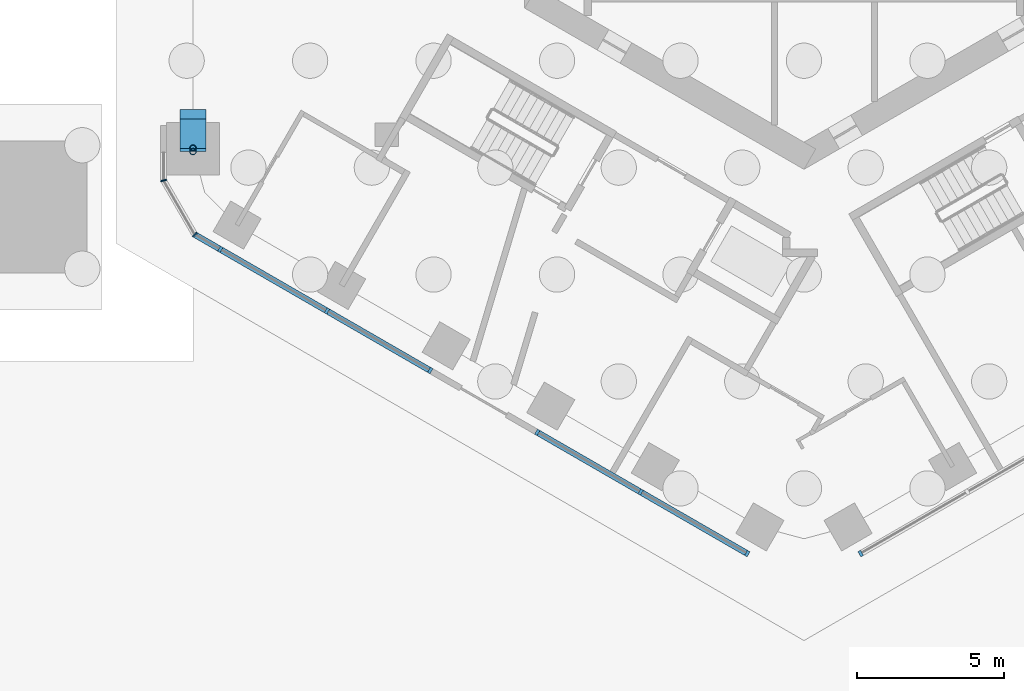
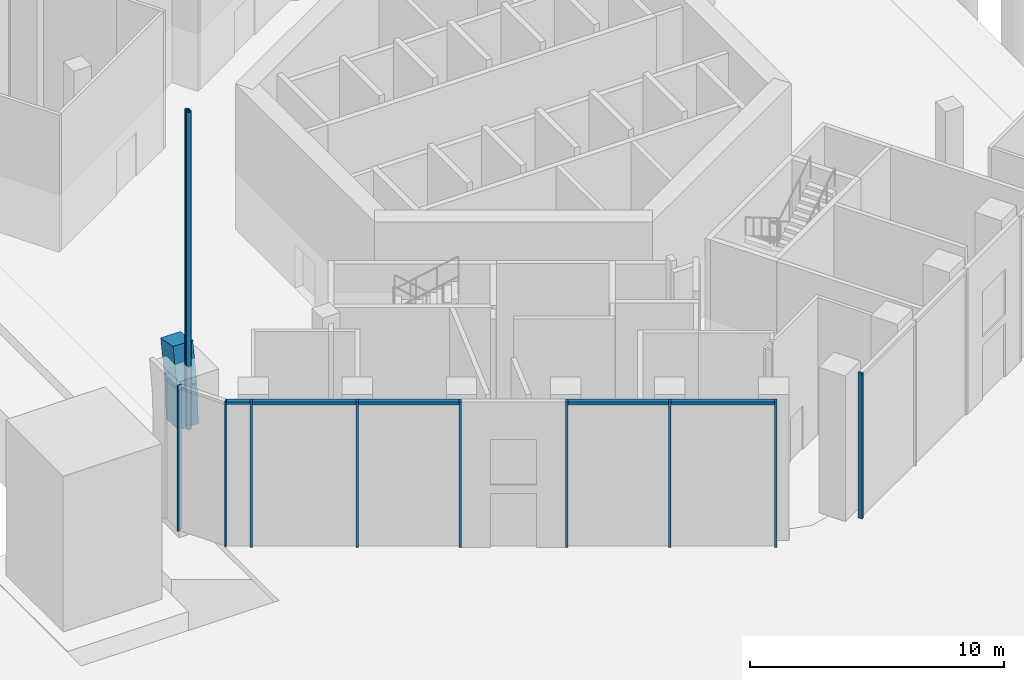
# One storey, part 2 of 18: 14 members, 2 beams, 4 elements without a shape of their own.
"""IFC4 building model written with IfcOpenShell, lengths in metres."""

from ifc_helpers import new_model, si_unit, direction, frame, origin, origin_2d, place, context, subcontext, project, spatial, rectangle, hollow_circle, extrude, material, layer, layer_set, material_profile, profile_set, type_object, element, aggregate, save


model = new_model("IFC4")

# Units and contexts
model_context = context("Model", 3, precision=1e-05, world=origin(), true_north=direction((0.0, 1.0)))
body_context = subcontext(model_context, "Body", "Model", "MODEL_VIEW")
ifc_project = project(units=[si_unit("LENGTHUNIT", "METRE"), si_unit("AREAUNIT", "SQUARE_METRE"), si_unit("VOLUMEUNIT", "CUBIC_METRE"), si_unit("PLANEANGLEUNIT", "RADIAN"), si_unit("MASSUNIT", "GRAM", prefix="KILO")], contexts=[model_context])

# Site, building, storey
site_placement = place(None, origin())
site = spatial("IfcSite", under=ifc_project, at=site_placement, CompositionType="ELEMENT")
building_placement = place(site_placement, origin())
building = spatial("IfcBuilding", under=site, at=building_placement, Name="Ayvan Gate Tower", CompositionType="ELEMENT")
storey_placement = place(building_placement, origin())
storey = spatial("IfcBuildingStorey", under=building, at=storey_placement, Name="L00", CompositionType="ELEMENT", Elevation=0.0)

# Beams
ifc_material_1 = material(Name="Concrete C60/75", Category="concrete")
ifc_material_profile_1 = material_profile(ifc_material_1, rectangle(XDim=0.89990234375, YDim=1.0, at=origin_2d()), Name="RC 900x1000")
ifc_profile_set_1 = profile_set([ifc_material_profile_1], Name="Concrete C60/75")
beam_type = type_object("IfcBeamType", Name="Arch rib RC 900x1000 C60/75", PredefinedType="BEAM", material=ifc_profile_set_1)
for number, where, z_axis, x_axis, name in (
    (1, (-20.78466796875, -9.425048828125, 7.6962890625), (0.0, -0.177929066797, -0.984043315708), (1.0, 0.0, 0.0), "AR-3-19"),
    (2, (-20.78466796875, -9.7568359375, 5.861328125), (0.0, -0.059573960117, -0.998223894362), (1.0, 0.0, 0.0), "AR-3-20"),
):
    element("IfcBeam", number, at=place(storey_placement, frame(where, z_axis=z_axis, x_axis=x_axis)), inside=storey, type_object=beam_type, Name=name, PredefinedType="BEAM", context=body_context, shape_type="SweptSolid", body=[
        extrude(rectangle(XDim=0.89990234375, YDim=1.0, at=origin_2d()), origin(), (0.0, 0.0, 1.0), 1.86474609375),
    ])

# Members
ifc_material_2 = material(Name="Steel S460NH", Category="steel")
ifc_material_profile_2 = material_profile(ifc_material_2, hollow_circle(Radius=0.109619140625, WallThickness=0.012451171875, at=origin_2d()), Name="CHS 219.1x12.5")
ifc_profile_set_2 = profile_set([ifc_material_profile_2], Name="Steel S460NH")
member_type_1 = type_object("IfcMemberType", Name="Arch rib hanger CHS 219.1x12.5", PredefinedType="STRUT", material=ifc_profile_set_2)
member_1_placement = place(storey_placement, frame((-20.78466796875, -10.248779296875, 5.7724609375), z_axis=(0.0, 0.0, 1.0), x_axis=(1.0, 0.0, 0.0)))
element("IfcMember", 3, at=member_1_placement, inside=storey, type_object=member_type_1, Name="ARH-3-19", PredefinedType="STRUT", context=body_context, shape_type="SweptSolid", body=[
    extrude(hollow_circle(Radius=0.109619140625, WallThickness=0.012451171875, at=origin_2d()), origin(), (0.0, 0.0, 1.0), 13.4775390625),
])
member_2_placement = place(storey_placement, frame((-20.78466796875, -10.366943359375, 3.97021484375), z_axis=(0.0, 0.0, 1.0), x_axis=(1.0, 0.0, 0.0)))
element("IfcMember", 4, at=member_2_placement, inside=storey, type_object=member_type_1, Name="ARH-3-20", PredefinedType="STRUT", context=body_context, shape_type="SweptSolid", body=[
    extrude(hollow_circle(Radius=0.109619140625, WallThickness=0.012451171875, at=origin_2d()), origin(), (0.0, 0.0, 1.0), 15.27978515625),
])

# Curtain wall, members
ifc_material_3 = material(Name="Bronze anodised aluminium", Category="aluminium")
ifc_layer_1 = layer(ifc_material_3, 0.199951171875)
ifc_layer_set_1 = layer_set([ifc_layer_1], Name="Bronze anodised aluminium")
curtain_wall_type_1 = type_object("IfcCurtainWallType", Name="Stick curtain wall CW-3", PredefinedType="NOTDEFINED", material=ifc_layer_set_1)
curtain_wall_1_placement = place(storey_placement, origin())
curtain_wall_1 = element("IfcCurtainWall", 5, at=curtain_wall_1_placement, inside=storey, type_object=curtain_wall_type_1, Name="Stick curtain wall CW-3 L00", PredefinedType="NOTDEFINED")
ifc_material_profile_3 = material_profile(ifc_material_3, rectangle(XDim=0.199951171875, YDim=0.10009765625, at=origin_2d()), Name="Stick curtain wall CW-3 mullion 200 x 100")
ifc_profile_set_3 = profile_set([ifc_material_profile_3], Name="Bronze anodised aluminium")
member_type_2 = type_object("IfcMemberType", Name="Stick curtain wall CW-3 mullion 200 x 100", PredefinedType="MULLION", material=ifc_profile_set_3)
member_3_placement = place(storey_placement, frame((-19.855224609375, -13.691162109375, 0.0), z_axis=(0.0, 0.0, 1.0), x_axis=(-0.5, -0.866025403784, 0.0)))
member_3 = element("IfcMember", 6, at=member_3_placement, type_object=member_type_2, Name="CW-3 mullion 1", PredefinedType="MULLION", context=body_context, shape_type="SweptSolid", body=[
    extrude(rectangle(XDim=0.199951171875, YDim=0.10009765625, at=origin_2d()), origin(), (0.0, 0.0, 1.0), 7.0),
])
member_4_placement = place(storey_placement, frame((-16.2275390625, -15.78564453125, 0.0), z_axis=(0.0, 0.0, 1.0), x_axis=(-0.5, -0.866025403784, 0.0)))
member_4 = element("IfcMember", 7, at=member_4_placement, type_object=member_type_2, Name="CW-3 mullion 2", PredefinedType="MULLION", context=body_context, shape_type="SweptSolid", body=[
    extrude(rectangle(XDim=0.199951171875, YDim=0.10009765625, at=origin_2d()), origin(), (0.0, 0.0, 1.0), 7.0),
])
member_5_placement = place(storey_placement, frame((-12.714111328125, -17.814208984375, 0.0), z_axis=(0.0, 0.0, 1.0), x_axis=(-0.5, -0.866025403784, 0.0)))
member_5 = element("IfcMember", 8, at=member_5_placement, type_object=member_type_2, Name="CW-3 mullion 3", PredefinedType="MULLION", context=body_context, shape_type="SweptSolid", body=[
    extrude(rectangle(XDim=0.199951171875, YDim=0.10009765625, at=origin_2d()), origin(), (0.0, 0.0, 1.0), 7.0),
])

curtain_wall_2_placement = place(storey_placement, origin())
curtain_wall_2 = element("IfcCurtainWall", 9, at=curtain_wall_2_placement, inside=storey, type_object=curtain_wall_type_1, Name="Stick curtain wall CW-3 L00", PredefinedType="NOTDEFINED")
member_6_placement = place(storey_placement, frame((-9.07080078125, -19.917724609375, 0.0), z_axis=(0.0, 0.0, 1.0), x_axis=(-0.5, -0.866025403784, 0.0)))
member_6 = element("IfcMember", 10, at=member_6_placement, type_object=member_type_2, Name="CW-3 mullion 1", PredefinedType="MULLION", context=body_context, shape_type="SweptSolid", body=[
    extrude(rectangle(XDim=0.199951171875, YDim=0.10009765625, at=origin_2d()), origin(), (0.0, 0.0, 1.0), 7.0),
])
member_7_placement = place(storey_placement, frame((-5.55712890625, -21.9462890625, 0.0), z_axis=(0.0, 0.0, 1.0), x_axis=(-0.5, -0.866025403784, 0.0)))
member_7 = element("IfcMember", 11, at=member_7_placement, type_object=member_type_2, Name="CW-3 mullion 2", PredefinedType="MULLION", context=body_context, shape_type="SweptSolid", body=[
    extrude(rectangle(XDim=0.199951171875, YDim=0.10009765625, at=origin_2d()), origin(), (0.0, 0.0, 1.0), 7.0),
])
member_8_placement = place(storey_placement, frame((-1.92919921875, -24.040771484375, 0.0), z_axis=(0.0, 0.0, 1.0), x_axis=(-0.5, -0.866025403784, 0.0)))
member_8 = element("IfcMember", 12, at=member_8_placement, type_object=member_type_2, Name="CW-3 mullion 3", PredefinedType="MULLION", context=body_context, shape_type="SweptSolid", body=[
    extrude(rectangle(XDim=0.199951171875, YDim=0.10009765625, at=origin_2d()), origin(), (0.0, 0.0, 1.0), 7.0),
])

# Curtain wall, member
curtain_wall_3_placement = place(storey_placement, origin())
curtain_wall_3 = element("IfcCurtainWall", 13, at=curtain_wall_3_placement, inside=storey, type_object=curtain_wall_type_1, Name="Stick curtain wall CW-3 L00", PredefinedType="NOTDEFINED")
member_9_placement = place(storey_placement, frame((1.92919921875, -24.040771484375, 0.0), z_axis=(0.0, 0.0, 1.0), x_axis=(0.5, -0.866025403784, 0.0)))
member_9 = element("IfcMember", 14, at=member_9_placement, type_object=member_type_2, Name="CW-3 mullion 1", PredefinedType="MULLION", context=body_context, shape_type="SweptSolid", body=[
    extrude(rectangle(XDim=0.199951171875, YDim=0.10009765625, at=origin_2d()), origin(), (0.0, 0.0, 1.0), 7.0),
])
aggregate(curtain_wall_3, [member_9])

# Member
ifc_material_profile_4 = material_profile(ifc_material_3, rectangle(XDim=0.199951171875, YDim=0.159912109375, at=origin_2d()), Name="Stick curtain wall CW-3 transom 200 x 160")
ifc_profile_set_4 = profile_set([ifc_material_profile_4], Name="Bronze anodised aluminium")
member_type_3 = type_object("IfcMemberType", Name="Stick curtain wall CW-3 transom 200 x 160", PredefinedType="USERDEFINED", material=ifc_profile_set_4)
member_10_placement = place(storey_placement, frame((-19.855224609375, -13.691162109375, 6.919921875), z_axis=(0.866018934194, -0.500011205493, 0.0), x_axis=(0.500011205493, 0.866018934194, 0.0)))
member_10 = element("IfcMember", 15, at=member_10_placement, type_object=member_type_3, Name="CW-3 transom 1", ObjectType="TRANSOM", PredefinedType="USERDEFINED", context=body_context, shape_type="SweptSolid", body=[
    extrude(rectangle(XDim=0.199951171875, YDim=0.159912109375, at=origin_2d()), origin(), (0.0, 0.0, 1.0), 8.245849609375),
])

aggregate(curtain_wall_1, [member_3, member_4, member_5, member_10])

member_11_placement = place(storey_placement, frame((-9.07080078125, -19.917724609375, 6.919921875), z_axis=(0.866033737461, -0.499985565371, 0.0), x_axis=(0.499985565371, 0.866033737461, 0.0)))
member_11 = element("IfcMember", 16, at=member_11_placement, type_object=member_type_3, Name="CW-3 transom 1", ObjectType="TRANSOM", PredefinedType="USERDEFINED", context=body_context, shape_type="SweptSolid", body=[
    extrude(rectangle(XDim=0.199951171875, YDim=0.159912109375, at=origin_2d()), origin(), (0.0, 0.0, 1.0), 8.246337890625),
])

aggregate(curtain_wall_2, [member_6, member_7, member_8, member_11])

# Curtain wall, members
ifc_layer_2 = layer(ifc_material_3, 0.199951171875)
ifc_layer_set_2 = layer_set([ifc_layer_2], Name="Bronze anodised aluminium")
curtain_wall_type_2 = type_object("IfcCurtainWallType", Name="Stick curtain wall CW-6", PredefinedType="NOTDEFINED", material=ifc_layer_set_2)
curtain_wall_4_placement = place(storey_placement, origin())
curtain_wall_4 = element("IfcCurtainWall", 17, at=curtain_wall_4_placement, inside=storey, type_object=curtain_wall_type_2, Name="Stick curtain wall CW-6 L00", PredefinedType="NOTDEFINED")
ifc_material_profile_5 = material_profile(ifc_material_3, rectangle(XDim=0.199951171875, YDim=0.050048828125, at=origin_2d()), Name="Stick curtain wall CW-6 mullion 200 x 50")
ifc_profile_set_5 = profile_set([ifc_material_profile_5], Name="Bronze anodised aluminium")
member_type_4 = type_object("IfcMemberType", Name="Stick curtain wall CW-6 mullion 200 x 50", PredefinedType="MULLION", material=ifc_profile_set_5)
member_12_placement = place(storey_placement, frame((-21.78466796875, -11.349609375, 0.0), z_axis=(0.0, 0.0, 1.0), x_axis=(-0.965925826289, -0.258819045103, 0.0)))
member_12 = element("IfcMember", 18, at=member_12_placement, type_object=member_type_4, Name="CW-6 mullion 2", PredefinedType="MULLION", context=body_context, shape_type="SweptSolid", body=[
    extrude(rectangle(XDim=0.199951171875, YDim=0.050048828125, at=origin_2d()), origin(), (0.0, 0.0, 1.0), 7.0),
])
member_13_placement = place(storey_placement, frame((-20.721435546875, -13.191162109375, 0.0), z_axis=(0.0, 0.0, 1.0), x_axis=(-0.707106781187, -0.707106781187, 0.0)))
member_13 = element("IfcMember", 19, at=member_13_placement, type_object=member_type_4, Name="CW-6 mullion 3", PredefinedType="MULLION", context=body_context, shape_type="SweptSolid", body=[
    extrude(rectangle(XDim=0.199951171875, YDim=0.050048828125, at=origin_2d()), origin(), (0.0, 0.0, 1.0), 7.0),
])
ifc_material_profile_6 = material_profile(ifc_material_3, rectangle(XDim=0.199951171875, YDim=0.1201171875, at=origin_2d()), Name="Stick curtain wall CW-6 transom 200 x 120")
ifc_profile_set_6 = profile_set([ifc_material_profile_6], Name="Bronze anodised aluminium")
member_type_5 = type_object("IfcMemberType", Name="Stick curtain wall CW-6 transom 200 x 120", PredefinedType="USERDEFINED", material=ifc_profile_set_6)
member_14_placement = place(storey_placement, frame((-20.69970703125, -13.20361328125, 6.93994140625), z_axis=(0.865943820382, -0.500141279983, 0.0), x_axis=(0.500141279983, 0.865943820382, 0.0)))
member_14 = element("IfcMember", 20, at=member_14_placement, type_object=member_type_5, Name="CW-6 transom 3", ObjectType="TRANSOM", PredefinedType="USERDEFINED", context=body_context, shape_type="SweptSolid", body=[
    extrude(rectangle(XDim=0.199951171875, YDim=0.1201171875, at=origin_2d()), origin(), (0.0, 0.0, 1.0), 0.925048828125),
])
aggregate(curtain_wall_4, [member_12, member_13, member_14])

save(model, "model.ifc")
